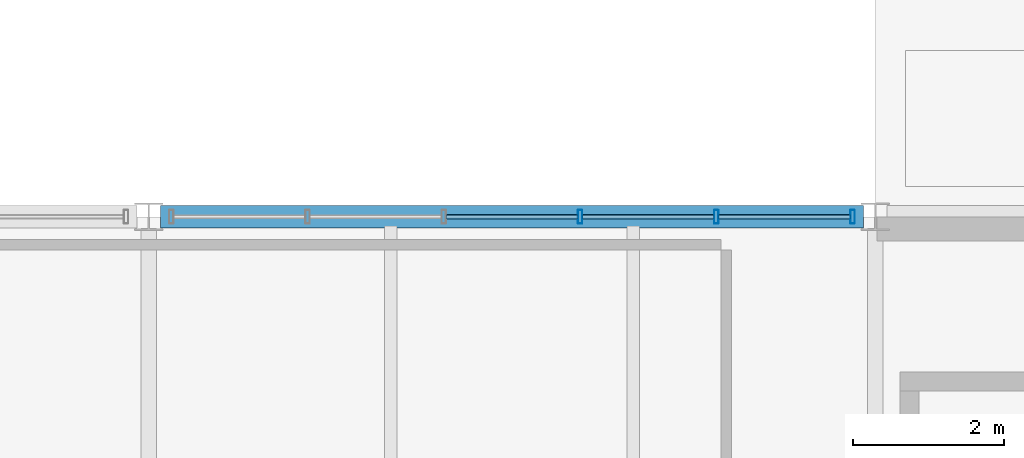
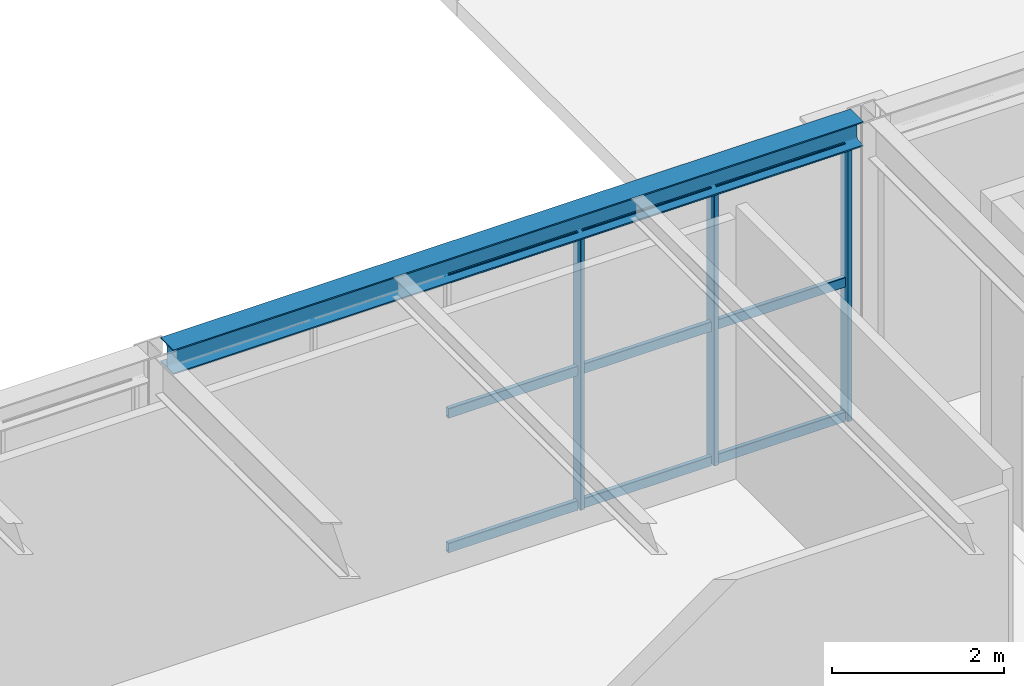
# One storey, part 35 of 170: 12 members, 1 beam, 1 element without a shape of its own.
"""IFC4 building model written with IfcOpenShell, lengths in metres."""

from ifc_helpers import new_model, si_unit, direction, frame, origin, origin_2d, place, context, subcontext, project, spatial, hollow_rectangle, i_section, extrude, material, material_profile, profile_set, type_object, element, aggregate, save


model = new_model("IFC4")

# Units and contexts
model_context = context("Model", 3, precision=1e-05, world=origin(), true_north=direction((0.0, 1.0)))
body_context = subcontext(model_context, "Body", "Model", "MODEL_VIEW")
ifc_project = project(units=[si_unit("LENGTHUNIT", "METRE"), si_unit("AREAUNIT", "SQUARE_METRE"), si_unit("VOLUMEUNIT", "CUBIC_METRE"), si_unit("PLANEANGLEUNIT", "RADIAN"), si_unit("MASSUNIT", "GRAM", prefix="KILO")], contexts=[model_context])

# Site, building, storey
site_placement = place(None, origin())
site = spatial("IfcSite", under=ifc_project, at=site_placement, CompositionType="ELEMENT")
building_placement = place(site_placement, origin())
building = spatial("IfcBuilding", under=site, at=building_placement, Name="Coralgate Yard Interchange", CompositionType="ELEMENT")
storey_placement = place(building_placement, frame((0.0, 0.0, 6.0)))
storey = spatial("IfcBuildingStorey", under=building, at=storey_placement, Name="L01", CompositionType="ELEMENT", Elevation=6.0)

# Beam
ifc_material_1 = material(Name="Structural steel S355J2", Category="steel")
ifc_material_profile_1 = material_profile(ifc_material_1, i_section(OverallWidth=0.300048828125, OverallDepth=0.35009765625, WebThickness=0.010009765625, FlangeThickness=0.017578125, FilletRadius=0.027099609375, at=origin_2d()), Name="HEA 360")
ifc_profile_set_1 = profile_set([ifc_material_profile_1], Name="Structural steel S355J2")
beam_type = type_object("IfcBeamType", Name="BM-SP-1", PredefinedType="SPANDREL", material=ifc_profile_set_1)
beam_placement = place(storey_placement, frame((38.556396484375, 19.199951171875, 4.074951171875), z_axis=(1.0, 0.0, 0.0), x_axis=(0.0, 1.0, 0.0)))
element("IfcBeam", 1, at=beam_placement, inside=storey, type_object=beam_type, Name="L01 primary grid beam Y2 X4-5", PredefinedType="SPANDREL", context=body_context, shape_type="SweptSolid", body=[
    extrude(i_section(OverallWidth=0.300048828125, OverallDepth=0.35009765625, WebThickness=0.010009765625, FlangeThickness=0.017578125, FilletRadius=0.027099609375, at=origin_2d()), origin(), (0.0, 0.0, 1.0), 9.287353515625),
])

# Curtain wall, members
ifc_material_2 = material(Name="Anodised coastal aluminium and solar-control low-E glass", Category="aluminium")
curtain_wall_type = type_object("IfcCurtainWallType", Name="CW-CW-L01-A", PredefinedType="NOTDEFINED", material=ifc_material_2)
curtain_wall_placement = place(storey_placement, origin())
curtain_wall = element("IfcCurtainWall", 2, at=curtain_wall_placement, inside=storey, type_object=curtain_wall_type, Name="L01 unitised curtain wall CW-L01-N-04-01", PredefinedType="NOTDEFINED")
ifc_material_3 = material(Name="Anodised coastal aluminium 6063-T6", Category="aluminium")
ifc_material_profile_2 = material_profile(ifc_material_3, hollow_rectangle(XDim=0.06005859375, YDim=0.179931640625, WallThickness=0.00390625, InnerFilletRadius=0.00390625, OuterFilletRadius=0.008056640625, at=origin_2d()), Name="ALU 60x180x4")
ifc_profile_set_2 = profile_set([ifc_material_profile_2], Name="Anodised coastal aluminium 6063-T6")
member_type_1 = type_object("IfcMemberType", Name="MB-MUL-180", PredefinedType="MULLION", material=ifc_profile_set_2)
member_1_placement = place(storey_placement, frame((44.10009765625, 19.199951171875, 0.0), z_axis=(0.0, 0.0, 1.0), x_axis=(1.0, 0.0, 0.0)))
member_1 = element("IfcMember", 3, at=member_1_placement, type_object=member_type_1, Name="CW-L01-N-04-01 vertical mullion 4", PredefinedType="MULLION", context=body_context, shape_type="SweptSolid", body=[
    extrude(hollow_rectangle(XDim=0.06005859375, YDim=0.179931640625, WallThickness=0.00390625, InnerFilletRadius=0.00390625, OuterFilletRadius=0.008056640625, at=origin_2d()), origin(), (0.0, 0.0, 1.0), 3.89990234375),
])
member_2_placement = place(storey_placement, frame((45.89990234375, 19.199951171875, 0.0), z_axis=(0.0, 0.0, 1.0), x_axis=(1.0, 0.0, 0.0)))
member_2 = element("IfcMember", 4, at=member_2_placement, type_object=member_type_1, Name="CW-L01-N-04-01 vertical mullion 5", PredefinedType="MULLION", context=body_context, shape_type="SweptSolid", body=[
    extrude(hollow_rectangle(XDim=0.06005859375, YDim=0.179931640625, WallThickness=0.00390625, InnerFilletRadius=0.00390625, OuterFilletRadius=0.008056640625, at=origin_2d()), origin(), (0.0, 0.0, 1.0), 3.89990234375),
])
member_3_placement = place(storey_placement, frame((47.699951171875, 19.199951171875, 0.0), z_axis=(0.0, 0.0, 1.0), x_axis=(1.0, 0.0, 0.0)))
member_3 = element("IfcMember", 5, at=member_3_placement, type_object=member_type_1, Name="CW-L01-N-04-01 vertical mullion 6", PredefinedType="MULLION", context=body_context, shape_type="SweptSolid", body=[
    extrude(hollow_rectangle(XDim=0.06005859375, YDim=0.179931640625, WallThickness=0.00390625, InnerFilletRadius=0.00390625, OuterFilletRadius=0.008056640625, at=origin_2d()), origin(), (0.0, 0.0, 1.0), 3.89990234375),
])
ifc_material_profile_3 = material_profile(ifc_material_3, hollow_rectangle(XDim=0.06005859375, YDim=0.139892578125, WallThickness=0.00341796875, InnerFilletRadius=0.00341796875, OuterFilletRadius=0.007080078125, at=origin_2d()), Name="ALU 60x140x3.5")
ifc_profile_set_3 = profile_set([ifc_material_profile_3], Name="Anodised coastal aluminium 6063-T6")
member_type_2 = type_object("IfcMemberType", Name="MB-TRN-140", PredefinedType="USERDEFINED", material=ifc_profile_set_3)
member_4_placement = place(storey_placement, frame((42.330078125, 19.199951171875, 0.034912109375), z_axis=(1.0, 0.0, 0.0), x_axis=(0.0, 1.0, 0.0)))
member_4 = element("IfcMember", 6, at=member_4_placement, type_object=member_type_2, Name="CW-L01-N-04-01 horizontal transom 3-1", ObjectType="TRANSOM", PredefinedType="USERDEFINED", context=body_context, shape_type="SweptSolid", body=[
    extrude(hollow_rectangle(XDim=0.06005859375, YDim=0.139892578125, WallThickness=0.00341796875, InnerFilletRadius=0.00341796875, OuterFilletRadius=0.007080078125, at=origin_2d()), origin(), (0.0, 0.0, 1.0), 1.739990234375),
])
member_5_placement = place(storey_placement, frame((42.330078125, 19.199951171875, 1.949951171875), z_axis=(1.0, 0.0, 0.0), x_axis=(0.0, 1.0, 0.0)))
member_5 = element("IfcMember", 7, at=member_5_placement, type_object=member_type_2, Name="CW-L01-N-04-01 horizontal transom 3-2", ObjectType="TRANSOM", PredefinedType="USERDEFINED", context=body_context, shape_type="SweptSolid", body=[
    extrude(hollow_rectangle(XDim=0.06005859375, YDim=0.139892578125, WallThickness=0.00341796875, InnerFilletRadius=0.00341796875, OuterFilletRadius=0.007080078125, at=origin_2d()), origin(), (0.0, 0.0, 1.0), 1.739990234375),
])
member_6_placement = place(storey_placement, frame((42.330078125, 19.199951171875, 3.864990234375), z_axis=(1.0, 0.0, 0.0), x_axis=(0.0, 1.0, 0.0)))
member_6 = element("IfcMember", 8, at=member_6_placement, type_object=member_type_2, Name="CW-L01-N-04-01 horizontal transom 3-3", ObjectType="TRANSOM", PredefinedType="USERDEFINED", context=body_context, shape_type="SweptSolid", body=[
    extrude(hollow_rectangle(XDim=0.06005859375, YDim=0.139892578125, WallThickness=0.00341796875, InnerFilletRadius=0.00341796875, OuterFilletRadius=0.007080078125, at=origin_2d()), origin(), (0.0, 0.0, 1.0), 1.739990234375),
])
member_7_placement = place(storey_placement, frame((44.1298828125, 19.199951171875, 0.034912109375), z_axis=(1.0, 0.0, 0.0), x_axis=(0.0, 1.0, 0.0)))
member_7 = element("IfcMember", 9, at=member_7_placement, type_object=member_type_2, Name="CW-L01-N-04-01 horizontal transom 4-1", ObjectType="TRANSOM", PredefinedType="USERDEFINED", context=body_context, shape_type="SweptSolid", body=[
    extrude(hollow_rectangle(XDim=0.06005859375, YDim=0.139892578125, WallThickness=0.00341796875, InnerFilletRadius=0.00341796875, OuterFilletRadius=0.007080078125, at=origin_2d()), origin(), (0.0, 0.0, 1.0), 1.740234375),
])
member_8_placement = place(storey_placement, frame((44.1298828125, 19.199951171875, 1.949951171875), z_axis=(1.0, 0.0, 0.0), x_axis=(0.0, 1.0, 0.0)))
member_8 = element("IfcMember", 10, at=member_8_placement, type_object=member_type_2, Name="CW-L01-N-04-01 horizontal transom 4-2", ObjectType="TRANSOM", PredefinedType="USERDEFINED", context=body_context, shape_type="SweptSolid", body=[
    extrude(hollow_rectangle(XDim=0.06005859375, YDim=0.139892578125, WallThickness=0.00341796875, InnerFilletRadius=0.00341796875, OuterFilletRadius=0.007080078125, at=origin_2d()), origin(), (0.0, 0.0, 1.0), 1.740234375),
])
member_9_placement = place(storey_placement, frame((44.1298828125, 19.199951171875, 3.864990234375), z_axis=(1.0, 0.0, 0.0), x_axis=(0.0, 1.0, 0.0)))
member_9 = element("IfcMember", 11, at=member_9_placement, type_object=member_type_2, Name="CW-L01-N-04-01 horizontal transom 4-3", ObjectType="TRANSOM", PredefinedType="USERDEFINED", context=body_context, shape_type="SweptSolid", body=[
    extrude(hollow_rectangle(XDim=0.06005859375, YDim=0.139892578125, WallThickness=0.00341796875, InnerFilletRadius=0.00341796875, OuterFilletRadius=0.007080078125, at=origin_2d()), origin(), (0.0, 0.0, 1.0), 1.740234375),
])
member_10_placement = place(storey_placement, frame((45.929931640625, 19.199951171875, 0.034912109375), z_axis=(1.0, 0.0, 0.0), x_axis=(0.0, 1.0, 0.0)))
member_10 = element("IfcMember", 12, at=member_10_placement, type_object=member_type_2, Name="CW-L01-N-04-01 horizontal transom 5-1", ObjectType="TRANSOM", PredefinedType="USERDEFINED", context=body_context, shape_type="SweptSolid", body=[
    extrude(hollow_rectangle(XDim=0.06005859375, YDim=0.139892578125, WallThickness=0.00341796875, InnerFilletRadius=0.00341796875, OuterFilletRadius=0.007080078125, at=origin_2d()), origin(), (0.0, 0.0, 1.0), 1.739990234375),
])
member_11_placement = place(storey_placement, frame((45.929931640625, 19.199951171875, 1.949951171875), z_axis=(1.0, 0.0, 0.0), x_axis=(0.0, 1.0, 0.0)))
member_11 = element("IfcMember", 13, at=member_11_placement, type_object=member_type_2, Name="CW-L01-N-04-01 horizontal transom 5-2", ObjectType="TRANSOM", PredefinedType="USERDEFINED", context=body_context, shape_type="SweptSolid", body=[
    extrude(hollow_rectangle(XDim=0.06005859375, YDim=0.139892578125, WallThickness=0.00341796875, InnerFilletRadius=0.00341796875, OuterFilletRadius=0.007080078125, at=origin_2d()), origin(), (0.0, 0.0, 1.0), 1.739990234375),
])
member_12_placement = place(storey_placement, frame((45.929931640625, 19.199951171875, 3.864990234375), z_axis=(1.0, 0.0, 0.0), x_axis=(0.0, 1.0, 0.0)))
member_12 = element("IfcMember", 14, at=member_12_placement, type_object=member_type_2, Name="CW-L01-N-04-01 horizontal transom 5-3", ObjectType="TRANSOM", PredefinedType="USERDEFINED", context=body_context, shape_type="SweptSolid", body=[
    extrude(hollow_rectangle(XDim=0.06005859375, YDim=0.139892578125, WallThickness=0.00341796875, InnerFilletRadius=0.00341796875, OuterFilletRadius=0.007080078125, at=origin_2d()), origin(), (0.0, 0.0, 1.0), 1.739990234375),
])
aggregate(curtain_wall, [member_1, member_2, member_3, member_4, member_5, member_6, member_7, member_8, member_9, member_10, member_11, member_12])

save(model, "model.ifc")
